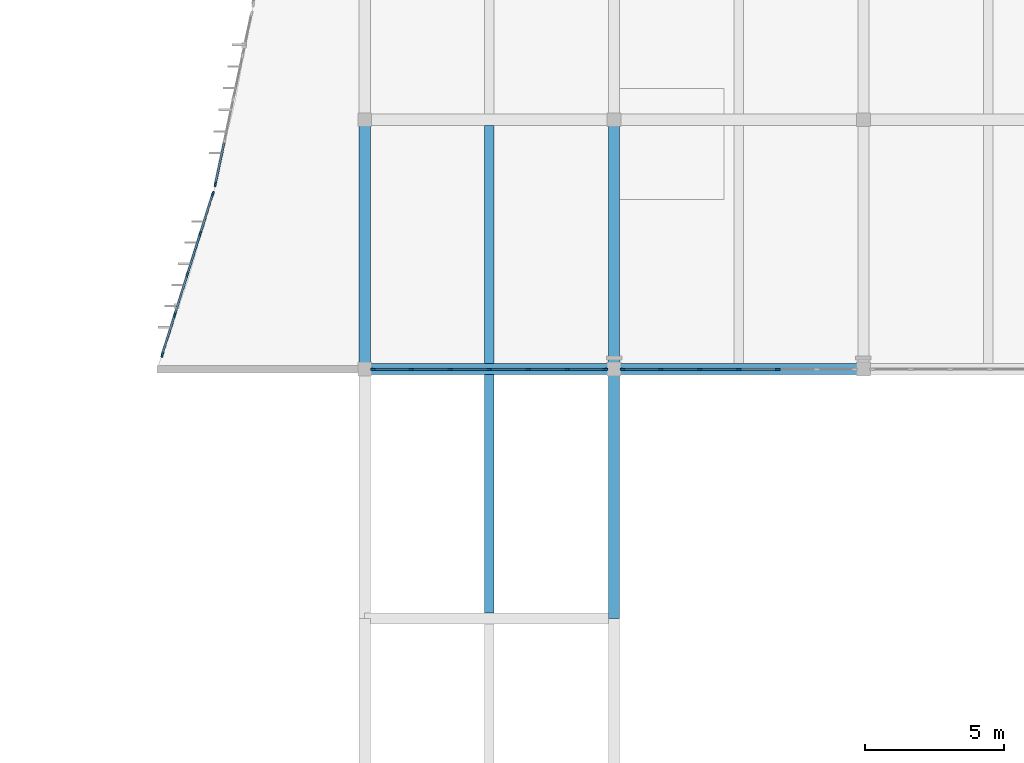
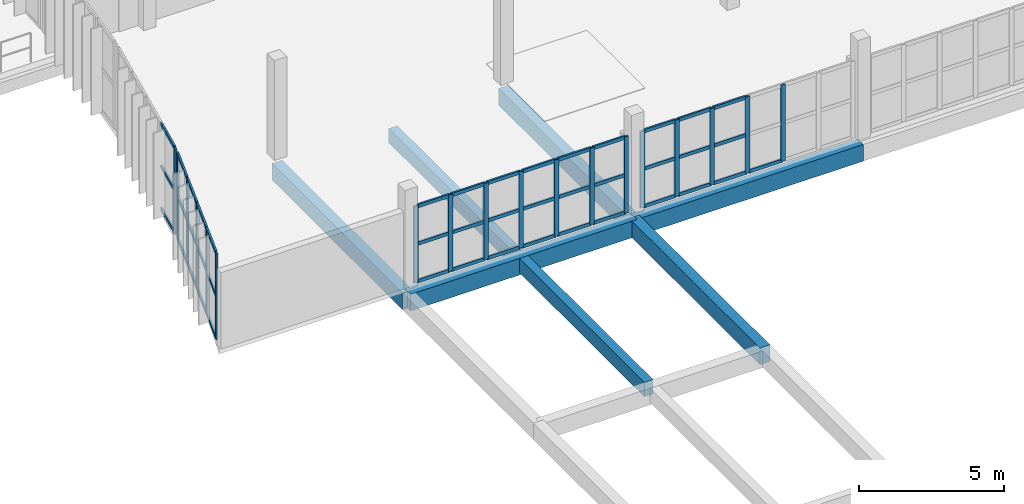
# One storey, part 21 of 61: 61 members, 7 beams, 4 elements without a shape of their own.
"""IFC4 building model written with IfcOpenShell, lengths in metres."""

from ifc_helpers import new_model, si_unit, direction, frame, origin, origin_2d, place, context, subcontext, project, spatial, rectangle, extrude, material, material_profile, profile_set, type_object, element, aggregate, save


model = new_model("IFC4")

# Units and contexts
model_context = context("Model", 3, precision=1e-05, world=origin(), true_north=direction((0.0, 1.0)))
body_context = subcontext(model_context, "Body", "Model", "MODEL_VIEW")
ifc_project = project(units=[si_unit("LENGTHUNIT", "METRE"), si_unit("AREAUNIT", "SQUARE_METRE"), si_unit("VOLUMEUNIT", "CUBIC_METRE"), si_unit("PLANEANGLEUNIT", "RADIAN"), si_unit("MASSUNIT", "GRAM", prefix="KILO")], contexts=[model_context])

# Site, building, storey
site_placement = place(None, origin())
site = spatial("IfcSite", under=ifc_project, at=site_placement, CompositionType="ELEMENT")
building_placement = place(site_placement, origin())
building = spatial("IfcBuilding", under=site, at=building_placement, Name="Vourika Railside Aquatics Centre", CompositionType="ELEMENT")
storey_placement = place(building_placement, frame((0.0, 0.0, 9.300048828125)))
storey = spatial("IfcBuildingStorey", under=building, at=storey_placement, Name="L02", CompositionType="ELEMENT", Elevation=9.300048828125)

# Beams
ifc_material_1 = material(Name="Concrete C35/45", Category="concrete")
ifc_material_profile_1 = material_profile(ifc_material_1, rectangle(XDim=0.39990234375, YDim=0.699951171875, at=origin_2d()), Name="RC 400x700")
ifc_profile_set_1 = profile_set([ifc_material_profile_1], Name="Concrete C35/45")
beam_type_1 = type_object("IfcBeamType", Name="BM-GIRD-400x700", PredefinedType="BEAM", material=ifc_profile_set_1)
for number, where, z_axis, x_axis, name in (
    (1, (141.0, 40.0, -0.630126953125), (1.0, 0.0, 0.0), (0.0, 1.0, 0.0), "Floor Beam GX-L02-038"),
    (2, (150.0, 40.0, -0.630126953125), (1.0, 0.0, 0.0), (0.0, 1.0, 0.0), "Floor Beam GX-L02-039"),
    (3, (141.0, 40.0, -0.630126953125), (0.0, 1.0, 0.0), (-1.0, 0.0, 0.0), "Floor Girder GY-L02-259"),
    (4, (150.0, 31.0, -0.630126953125), (0.0, 1.0, 0.0), (-1.0, 0.0, 0.0), "Floor Girder GY-L02-269"),
    (5, (150.0, 40.0, -0.630126953125), (0.0, 1.0, 0.0), (-1.0, 0.0, 0.0), "Floor Girder GY-L02-270"),
):
    element("IfcBeam", number, at=place(storey_placement, frame(where, z_axis=z_axis, x_axis=x_axis)), inside=storey, type_object=beam_type_1, Name=name, PredefinedType="BEAM", context=body_context, shape_type="SweptSolid", body=[
        extrude(rectangle(XDim=0.39990234375, YDim=0.699951171875, at=origin_2d()), origin(), (0.0, 0.0, 1.0), 9.0),
    ])
ifc_material_profile_2 = material_profile(ifc_material_1, rectangle(XDim=0.35009765625, YDim=0.60009765625, at=origin_2d()), Name="RC 350x600")
ifc_profile_set_2 = profile_set([ifc_material_profile_2], Name="Concrete C35/45")
beam_type_2 = type_object("IfcBeamType", Name="BM-SEC-350x600", PredefinedType="JOIST", material=ifc_profile_set_2)
for number, where, z_axis, x_axis, name in (
    (6, (145.5, 31.199951171875, -0.580078125), (0.0, 1.0, 0.0), (-1.0, 0.0, 0.0), "Secondary Joist JY-L02-305"),
    (7, (145.5, 40.199951171875, -0.580078125), (0.0, 1.0, 0.0), (-1.0, 0.0, 0.0), "Secondary Joist JY-L02-306"),
):
    element("IfcBeam", number, at=place(storey_placement, frame(where, z_axis=z_axis, x_axis=x_axis)), inside=storey, type_object=beam_type_2, Name=name, PredefinedType="JOIST", context=body_context, shape_type="SweptSolid", body=[
        extrude(rectangle(XDim=0.35009765625, YDim=0.60009765625, at=origin_2d()), origin(), (0.0, 0.0, 1.0), 8.60009765625),
    ])

# Curtain wall, members
ifc_material_2 = material(Name="Anodized thermally broken aluminium", Category="aluminium")
curtain_wall_type_1 = type_object("IfcCurtainWallType", Name="CW-FOYC2", PredefinedType="NOTDEFINED", material=ifc_material_2)
curtain_wall_1_placement = place(storey_placement, origin())
curtain_wall_1 = element("IfcCurtainWall", 8, at=curtain_wall_1_placement, inside=storey, type_object=curtain_wall_type_1, Name="Curved Courtyard Foyer Curtain Wall L02-1", PredefinedType="NOTDEFINED")
ifc_material_3 = material(Name="Anodized aluminium mullion", Category="aluminium")
ifc_material_profile_3 = material_profile(ifc_material_3, rectangle(XDim=0.068115234375, YDim=0.175048828125, at=origin_2d()), Name="ALU-M 68x175")
ifc_profile_set_3 = profile_set([ifc_material_profile_3], Name="Anodized aluminium mullion")
member_type_1 = type_object("IfcMemberType", Name="CWM-FOYC2", PredefinedType="MULLION", material=ifc_profile_set_3)
member_1_placement = place(storey_placement, frame((135.518798828125, 46.32763671875, 0.0), z_axis=(0.0, 0.0, 1.0), x_axis=(0.953947300696, -0.29997424472, 0.0)))
member_1 = element("IfcMember", 9, at=member_1_placement, type_object=member_type_1, Name="CW09 mullion 1", PredefinedType="MULLION", context=body_context, shape_type="SweptSolid", body=[
    extrude(rectangle(XDim=0.068115234375, YDim=0.175048828125, at=origin_2d()), origin(), (0.0, 0.0, 1.0), 3.619873046875),
])
member_2_placement = place(storey_placement, frame((135.066650390625, 44.889892578125, 0.0), z_axis=(0.0, 0.0, 1.0), x_axis=(0.953947300696, -0.29997424472, 0.0)))
member_2 = element("IfcMember", 10, at=member_2_placement, type_object=member_type_1, Name="CW09 mullion 2", PredefinedType="MULLION", context=body_context, shape_type="SweptSolid", body=[
    extrude(rectangle(XDim=0.068115234375, YDim=0.175048828125, at=origin_2d()), origin(), (0.0, 0.0, 1.0), 3.619873046875),
])
member_3_placement = place(storey_placement, frame((134.6044921875, 43.419921875, 0.0), z_axis=(0.0, 0.0, 1.0), x_axis=(0.953947300696, -0.29997424472, 0.0)))
member_3 = element("IfcMember", 11, at=member_3_placement, type_object=member_type_1, Name="CW09 mullion 3", PredefinedType="MULLION", context=body_context, shape_type="SweptSolid", body=[
    extrude(rectangle(XDim=0.068115234375, YDim=0.175048828125, at=origin_2d()), origin(), (0.0, 0.0, 1.0), 3.619873046875),
])
member_4_placement = place(storey_placement, frame((134.142333984375, 41.949951171875, 0.0), z_axis=(0.0, 0.0, 1.0), x_axis=(0.953947300696, -0.29997424472, 0.0)))
member_4 = element("IfcMember", 12, at=member_4_placement, type_object=member_type_1, Name="CW09 mullion 4", PredefinedType="MULLION", context=body_context, shape_type="SweptSolid", body=[
    extrude(rectangle(XDim=0.068115234375, YDim=0.175048828125, at=origin_2d()), origin(), (0.0, 0.0, 1.0), 3.619873046875),
])
member_5_placement = place(storey_placement, frame((133.690185546875, 40.512451171875, 0.0), z_axis=(0.0, 0.0, 1.0), x_axis=(0.953947300696, -0.29997424472, 0.0)))
member_5 = element("IfcMember", 13, at=member_5_placement, type_object=member_type_1, Name="CW09 mullion 5", PredefinedType="MULLION", context=body_context, shape_type="SweptSolid", body=[
    extrude(rectangle(XDim=0.068115234375, YDim=0.175048828125, at=origin_2d()), origin(), (0.0, 0.0, 1.0), 3.619873046875),
])

# Curtain wall, member
curtain_wall_2_placement = place(storey_placement, origin())
curtain_wall_2 = element("IfcCurtainWall", 14, at=curtain_wall_2_placement, inside=storey, type_object=curtain_wall_type_1, Name="Curved Courtyard Foyer Curtain Wall L02-2", PredefinedType="NOTDEFINED")
member_6_placement = place(storey_placement, frame((135.609130859375, 46.67333984375, 0.0), z_axis=(0.0, 0.0, 1.0), x_axis=(0.978214773139, -0.207595418094, 0.0)))
member_6 = element("IfcMember", 15, at=member_6_placement, type_object=member_type_1, Name="CW09 mullion 5", PredefinedType="MULLION", context=body_context, shape_type="SweptSolid", body=[
    extrude(rectangle(XDim=0.068115234375, YDim=0.175048828125, at=origin_2d()), origin(), (0.0, 0.0, 1.0), 3.619873046875),
])

# Curtain wall, members
curtain_wall_type_2 = type_object("IfcCurtainWallType", Name="CW-FOYS", PredefinedType="NOTDEFINED", material=ifc_material_2)
curtain_wall_3_placement = place(storey_placement, origin())
curtain_wall_3 = element("IfcCurtainWall", 16, at=curtain_wall_3_placement, inside=storey, type_object=curtain_wall_type_2, Name="Foyer South Glazed Facade L02-1", PredefinedType="NOTDEFINED")
ifc_material_profile_4 = material_profile(ifc_material_3, rectangle(XDim=0.072021484375, YDim=0.181884765625, at=origin_2d()), Name="ALU-M 72x182")
ifc_profile_set_4 = profile_set([ifc_material_profile_4], Name="Anodized aluminium mullion")
member_type_2 = type_object("IfcMemberType", Name="CWM-FOYS", PredefinedType="MULLION", material=ifc_profile_set_4)
member_7_placement = place(storey_placement, frame((141.31591796875, 40.0, 0.0), z_axis=(0.0, 0.0, 1.0), x_axis=(0.0, 1.0, 0.0)))
member_7 = element("IfcMember", 17, at=member_7_placement, type_object=member_type_2, Name="CW11 mullion 1", PredefinedType="MULLION", context=body_context, shape_type="SweptSolid", body=[
    extrude(rectangle(XDim=0.072021484375, YDim=0.181884765625, at=origin_2d()), origin(), (0.0, 0.0, 1.0), 3.219970703125),
])
member_8_placement = place(storey_placement, frame((142.686767578125, 40.0, 0.0), z_axis=(0.0, 0.0, 1.0), x_axis=(0.0, 1.0, 0.0)))
member_8 = element("IfcMember", 18, at=member_8_placement, type_object=member_type_2, Name="CW11 mullion 2", PredefinedType="MULLION", context=body_context, shape_type="SweptSolid", body=[
    extrude(rectangle(XDim=0.072021484375, YDim=0.181884765625, at=origin_2d()), origin(), (0.0, 0.0, 1.0), 3.219970703125),
])
member_9_placement = place(storey_placement, frame((144.09326171875, 40.0, 0.0), z_axis=(0.0, 0.0, 1.0), x_axis=(0.0, 1.0, 0.0)))
member_9 = element("IfcMember", 19, at=member_9_placement, type_object=member_type_2, Name="CW11 mullion 3", PredefinedType="MULLION", context=body_context, shape_type="SweptSolid", body=[
    extrude(rectangle(XDim=0.072021484375, YDim=0.181884765625, at=origin_2d()), origin(), (0.0, 0.0, 1.0), 3.219970703125),
])
member_10_placement = place(storey_placement, frame((145.5, 40.0, 0.0), z_axis=(0.0, 0.0, 1.0), x_axis=(0.0, 1.0, 0.0)))
member_10 = element("IfcMember", 20, at=member_10_placement, type_object=member_type_2, Name="CW11 mullion 4", PredefinedType="MULLION", context=body_context, shape_type="SweptSolid", body=[
    extrude(rectangle(XDim=0.072021484375, YDim=0.181884765625, at=origin_2d()), origin(), (0.0, 0.0, 1.0), 3.219970703125),
])
member_11_placement = place(storey_placement, frame((146.90673828125, 40.0, 0.0), z_axis=(0.0, 0.0, 1.0), x_axis=(0.0, 1.0, 0.0)))
member_11 = element("IfcMember", 21, at=member_11_placement, type_object=member_type_2, Name="CW11 mullion 5", PredefinedType="MULLION", context=body_context, shape_type="SweptSolid", body=[
    extrude(rectangle(XDim=0.072021484375, YDim=0.181884765625, at=origin_2d()), origin(), (0.0, 0.0, 1.0), 3.219970703125),
])
member_12_placement = place(storey_placement, frame((148.313232421875, 40.0, 0.0), z_axis=(0.0, 0.0, 1.0), x_axis=(0.0, 1.0, 0.0)))
member_12 = element("IfcMember", 22, at=member_12_placement, type_object=member_type_2, Name="CW11 mullion 6", PredefinedType="MULLION", context=body_context, shape_type="SweptSolid", body=[
    extrude(rectangle(XDim=0.072021484375, YDim=0.181884765625, at=origin_2d()), origin(), (0.0, 0.0, 1.0), 3.219970703125),
])
member_13_placement = place(storey_placement, frame((149.68408203125, 40.0, 0.0), z_axis=(0.0, 0.0, 1.0), x_axis=(0.0, 1.0, 0.0)))
member_13 = element("IfcMember", 23, at=member_13_placement, type_object=member_type_2, Name="CW11 mullion 7", PredefinedType="MULLION", context=body_context, shape_type="SweptSolid", body=[
    extrude(rectangle(XDim=0.072021484375, YDim=0.181884765625, at=origin_2d()), origin(), (0.0, 0.0, 1.0), 3.219970703125),
])

curtain_wall_4_placement = place(storey_placement, origin())
curtain_wall_4 = element("IfcCurtainWall", 24, at=curtain_wall_4_placement, inside=storey, type_object=curtain_wall_type_2, Name="Foyer South Glazed Facade L02-2", PredefinedType="NOTDEFINED")
member_14_placement = place(storey_placement, frame((150.31591796875, 40.0, 0.0), z_axis=(0.0, 0.0, 1.0), x_axis=(0.0, 1.0, 0.0)))
member_14 = element("IfcMember", 25, at=member_14_placement, type_object=member_type_2, Name="CW11 mullion 1", PredefinedType="MULLION", context=body_context, shape_type="SweptSolid", body=[
    extrude(rectangle(XDim=0.072021484375, YDim=0.181884765625, at=origin_2d()), origin(), (0.0, 0.0, 1.0), 3.219970703125),
])
member_15_placement = place(storey_placement, frame((151.686767578125, 40.0, 0.0), z_axis=(0.0, 0.0, 1.0), x_axis=(0.0, 1.0, 0.0)))
member_15 = element("IfcMember", 26, at=member_15_placement, type_object=member_type_2, Name="CW11 mullion 2", PredefinedType="MULLION", context=body_context, shape_type="SweptSolid", body=[
    extrude(rectangle(XDim=0.072021484375, YDim=0.181884765625, at=origin_2d()), origin(), (0.0, 0.0, 1.0), 3.219970703125),
])
member_16_placement = place(storey_placement, frame((153.09326171875, 40.0, 0.0), z_axis=(0.0, 0.0, 1.0), x_axis=(0.0, 1.0, 0.0)))
member_16 = element("IfcMember", 27, at=member_16_placement, type_object=member_type_2, Name="CW11 mullion 3", PredefinedType="MULLION", context=body_context, shape_type="SweptSolid", body=[
    extrude(rectangle(XDim=0.072021484375, YDim=0.181884765625, at=origin_2d()), origin(), (0.0, 0.0, 1.0), 3.219970703125),
])
member_17_placement = place(storey_placement, frame((154.5, 40.0, 0.0), z_axis=(0.0, 0.0, 1.0), x_axis=(0.0, 1.0, 0.0)))
member_17 = element("IfcMember", 28, at=member_17_placement, type_object=member_type_2, Name="CW11 mullion 4", PredefinedType="MULLION", context=body_context, shape_type="SweptSolid", body=[
    extrude(rectangle(XDim=0.072021484375, YDim=0.181884765625, at=origin_2d()), origin(), (0.0, 0.0, 1.0), 3.219970703125),
])
member_18_placement = place(storey_placement, frame((155.90673828125, 40.0, 0.0), z_axis=(0.0, 0.0, 1.0), x_axis=(0.0, 1.0, 0.0)))
member_18 = element("IfcMember", 29, at=member_18_placement, type_object=member_type_2, Name="CW11 mullion 5", PredefinedType="MULLION", context=body_context, shape_type="SweptSolid", body=[
    extrude(rectangle(XDim=0.072021484375, YDim=0.181884765625, at=origin_2d()), origin(), (0.0, 0.0, 1.0), 3.219970703125),
])

# Member
ifc_material_4 = material(Name="Anodized aluminium transom", Category="aluminium")
ifc_material_profile_5 = material_profile(ifc_material_4, rectangle(XDim=0.068115234375, YDim=0.137939453125, at=origin_2d()), Name="ALU-T 68x138")
ifc_profile_set_5 = profile_set([ifc_material_profile_5], Name="Anodized aluminium transom")
member_type_3 = type_object("IfcMemberType", Name="CWT-FOYC2", PredefinedType="USERDEFINED", material=ifc_profile_set_5)
member_19_placement = place(storey_placement, frame((135.508544921875, 46.295166015625, 0.033935546875), z_axis=(-0.299945704104, -0.953956274988, 0.0), x_axis=(0.953956274988, -0.299945704104, 0.0)))
member_19 = element("IfcMember", 30, at=member_19_placement, type_object=member_type_3, Name="CW09 transom 1.1", ObjectType="TRANSOM", PredefinedType="USERDEFINED", context=body_context, shape_type="SweptSolid", body=[
    extrude(rectangle(XDim=0.068115234375, YDim=0.137939453125, at=origin_2d()), origin(), (0.0, 0.0, 1.0), 1.43896484375),
])

member_20_placement = place(storey_placement, frame((135.508544921875, 46.295166015625, 1.81005859375), z_axis=(-0.299945704104, -0.953956274988, 0.0), x_axis=(0.953956274988, -0.299945704104, 0.0)))
member_20 = element("IfcMember", 31, at=member_20_placement, type_object=member_type_3, Name="CW09 transom 1.2", ObjectType="TRANSOM", PredefinedType="USERDEFINED", context=body_context, shape_type="SweptSolid", body=[
    extrude(rectangle(XDim=0.068115234375, YDim=0.137939453125, at=origin_2d()), origin(), (0.0, 0.0, 1.0), 1.43896484375),
])

member_21_placement = place(storey_placement, frame((135.508544921875, 46.295166015625, 3.5859375), z_axis=(-0.299945704104, -0.953956274988, 0.0), x_axis=(0.953956274988, -0.299945704104, 0.0)))
member_21 = element("IfcMember", 32, at=member_21_placement, type_object=member_type_3, Name="CW09 transom 1.3", ObjectType="TRANSOM", PredefinedType="USERDEFINED", context=body_context, shape_type="SweptSolid", body=[
    extrude(rectangle(XDim=0.068115234375, YDim=0.137939453125, at=origin_2d()), origin(), (0.0, 0.0, 1.0), 1.43896484375),
])

member_22_placement = place(storey_placement, frame((135.056640625, 44.857666015625, 0.033935546875), z_axis=(-0.299973116156, -0.953947655578, 0.0), x_axis=(0.953947655578, -0.299973116156, 0.0)))
member_22 = element("IfcMember", 33, at=member_22_placement, type_object=member_type_3, Name="CW09 transom 2.1", ObjectType="TRANSOM", PredefinedType="USERDEFINED", context=body_context, shape_type="SweptSolid", body=[
    extrude(rectangle(XDim=0.068115234375, YDim=0.137939453125, at=origin_2d()), origin(), (0.0, 0.0, 1.0), 1.47314453125),
])

member_23_placement = place(storey_placement, frame((135.056640625, 44.857666015625, 1.81005859375), z_axis=(-0.299973116156, -0.953947655578, 0.0), x_axis=(0.953947655578, -0.299973116156, 0.0)))
member_23 = element("IfcMember", 34, at=member_23_placement, type_object=member_type_3, Name="CW09 transom 2.2", ObjectType="TRANSOM", PredefinedType="USERDEFINED", context=body_context, shape_type="SweptSolid", body=[
    extrude(rectangle(XDim=0.068115234375, YDim=0.137939453125, at=origin_2d()), origin(), (0.0, 0.0, 1.0), 1.47314453125),
])

member_24_placement = place(storey_placement, frame((135.056640625, 44.857666015625, 3.5859375), z_axis=(-0.299973116156, -0.953947655578, 0.0), x_axis=(0.953947655578, -0.299973116156, 0.0)))
member_24 = element("IfcMember", 35, at=member_24_placement, type_object=member_type_3, Name="CW09 transom 2.3", ObjectType="TRANSOM", PredefinedType="USERDEFINED", context=body_context, shape_type="SweptSolid", body=[
    extrude(rectangle(XDim=0.068115234375, YDim=0.137939453125, at=origin_2d()), origin(), (0.0, 0.0, 1.0), 1.47314453125),
])

member_25_placement = place(storey_placement, frame((134.59423828125, 43.387451171875, 0.033935546875), z_axis=(-0.300020548645, -0.953932738924, 0.0), x_axis=(0.953932738924, -0.300020548645, 0.0)))
member_25 = element("IfcMember", 36, at=member_25_placement, type_object=member_type_3, Name="CW09 transom 3.1", ObjectType="TRANSOM", PredefinedType="USERDEFINED", context=body_context, shape_type="SweptSolid", body=[
    extrude(rectangle(XDim=0.068115234375, YDim=0.137939453125, at=origin_2d()), origin(), (0.0, 0.0, 1.0), 1.472900390625),
])

member_26_placement = place(storey_placement, frame((134.59423828125, 43.387451171875, 1.81005859375), z_axis=(-0.300020548645, -0.953932738924, 0.0), x_axis=(0.953932738924, -0.300020548645, 0.0)))
member_26 = element("IfcMember", 37, at=member_26_placement, type_object=member_type_3, Name="CW09 transom 3.2", ObjectType="TRANSOM", PredefinedType="USERDEFINED", context=body_context, shape_type="SweptSolid", body=[
    extrude(rectangle(XDim=0.068115234375, YDim=0.137939453125, at=origin_2d()), origin(), (0.0, 0.0, 1.0), 1.472900390625),
])

member_27_placement = place(storey_placement, frame((134.59423828125, 43.387451171875, 3.5859375), z_axis=(-0.300020548645, -0.953932738924, 0.0), x_axis=(0.953932738924, -0.300020548645, 0.0)))
member_27 = element("IfcMember", 38, at=member_27_placement, type_object=member_type_3, Name="CW09 transom 3.3", ObjectType="TRANSOM", PredefinedType="USERDEFINED", context=body_context, shape_type="SweptSolid", body=[
    extrude(rectangle(XDim=0.068115234375, YDim=0.137939453125, at=origin_2d()), origin(), (0.0, 0.0, 1.0), 1.472900390625),
])

member_28_placement = place(storey_placement, frame((134.132080078125, 41.91748046875, 0.033935546875), z_axis=(-0.29999425512, -0.953941008079, 0.0), x_axis=(0.953941008079, -0.29999425512, 0.0)))
member_28 = element("IfcMember", 39, at=member_28_placement, type_object=member_type_3, Name="CW09 transom 4.1", ObjectType="TRANSOM", PredefinedType="USERDEFINED", context=body_context, shape_type="SweptSolid", body=[
    extrude(rectangle(XDim=0.068115234375, YDim=0.137939453125, at=origin_2d()), origin(), (0.0, 0.0, 1.0), 1.438720703125),
])

member_29_placement = place(storey_placement, frame((134.132080078125, 41.91748046875, 1.81005859375), z_axis=(-0.29999425512, -0.953941008079, 0.0), x_axis=(0.953941008079, -0.29999425512, 0.0)))
member_29 = element("IfcMember", 40, at=member_29_placement, type_object=member_type_3, Name="CW09 transom 4.2", ObjectType="TRANSOM", PredefinedType="USERDEFINED", context=body_context, shape_type="SweptSolid", body=[
    extrude(rectangle(XDim=0.068115234375, YDim=0.137939453125, at=origin_2d()), origin(), (0.0, 0.0, 1.0), 1.438720703125),
])

member_30_placement = place(storey_placement, frame((134.132080078125, 41.91748046875, 3.5859375), z_axis=(-0.29999425512, -0.953941008079, 0.0), x_axis=(0.953941008079, -0.29999425512, 0.0)))
member_30 = element("IfcMember", 41, at=member_30_placement, type_object=member_type_3, Name="CW09 transom 4.3", ObjectType="TRANSOM", PredefinedType="USERDEFINED", context=body_context, shape_type="SweptSolid", body=[
    extrude(rectangle(XDim=0.068115234375, YDim=0.137939453125, at=origin_2d()), origin(), (0.0, 0.0, 1.0), 1.438720703125),
])

aggregate(curtain_wall_1, [member_1, member_2, member_3, member_4, member_5, member_19, member_20, member_21, member_22, member_23, member_24, member_25, member_26, member_27, member_28, member_29, member_30])

member_31_placement = place(storey_placement, frame((135.925048828125, 48.16162109375, 0.033935546875), z_axis=(-0.207623193138, -0.978208878344, 0.0), x_axis=(0.978208878344, -0.207623193138, 0.0)))
member_31 = element("IfcMember", 42, at=member_31_placement, type_object=member_type_3, Name="CW09 transom 4.1", ObjectType="TRANSOM", PredefinedType="USERDEFINED", context=body_context, shape_type="SweptSolid", body=[
    extrude(rectangle(XDim=0.068115234375, YDim=0.137939453125, at=origin_2d()), origin(), (0.0, 0.0, 1.0), 1.487548828125),
])

member_32_placement = place(storey_placement, frame((135.925048828125, 48.16162109375, 1.81005859375), z_axis=(-0.207623193138, -0.978208878344, 0.0), x_axis=(0.978208878344, -0.207623193138, 0.0)))
member_32 = element("IfcMember", 43, at=member_32_placement, type_object=member_type_3, Name="CW09 transom 4.2", ObjectType="TRANSOM", PredefinedType="USERDEFINED", context=body_context, shape_type="SweptSolid", body=[
    extrude(rectangle(XDim=0.068115234375, YDim=0.137939453125, at=origin_2d()), origin(), (0.0, 0.0, 1.0), 1.487548828125),
])

member_33_placement = place(storey_placement, frame((135.925048828125, 48.16162109375, 3.5859375), z_axis=(-0.207623193138, -0.978208878344, 0.0), x_axis=(0.978208878344, -0.207623193138, 0.0)))
member_33 = element("IfcMember", 44, at=member_33_placement, type_object=member_type_3, Name="CW09 transom 4.3", ObjectType="TRANSOM", PredefinedType="USERDEFINED", context=body_context, shape_type="SweptSolid", body=[
    extrude(rectangle(XDim=0.068115234375, YDim=0.137939453125, at=origin_2d()), origin(), (0.0, 0.0, 1.0), 1.487548828125),
])

aggregate(curtain_wall_2, [member_6, member_31, member_32, member_33])

ifc_material_profile_6 = material_profile(ifc_material_4, rectangle(XDim=0.072021484375, YDim=0.14404296875, at=origin_2d()), Name="ALU-T 72x144")
ifc_profile_set_6 = profile_set([ifc_material_profile_6], Name="Anodized aluminium transom")
member_type_4 = type_object("IfcMemberType", Name="CWT-FOYS", PredefinedType="USERDEFINED", material=ifc_profile_set_6)
member_34_placement = place(storey_placement, frame((141.35205078125, 40.0, 0.035888671875), z_axis=(1.0, 0.0, 0.0), x_axis=(0.0, 1.0, 0.0)))
member_34 = element("IfcMember", 45, at=member_34_placement, type_object=member_type_4, Name="CW11 transom 1.1", ObjectType="TRANSOM", PredefinedType="USERDEFINED", context=body_context, shape_type="SweptSolid", body=[
    extrude(rectangle(XDim=0.072021484375, YDim=0.14404296875, at=origin_2d()), origin(), (0.0, 0.0, 1.0), 1.298583984375),
])

member_35_placement = place(storey_placement, frame((141.35205078125, 40.0, 1.60986328125), z_axis=(1.0, 0.0, 0.0), x_axis=(0.0, 1.0, 0.0)))
member_35 = element("IfcMember", 46, at=member_35_placement, type_object=member_type_4, Name="CW11 transom 1.2", ObjectType="TRANSOM", PredefinedType="USERDEFINED", context=body_context, shape_type="SweptSolid", body=[
    extrude(rectangle(XDim=0.072021484375, YDim=0.14404296875, at=origin_2d()), origin(), (0.0, 0.0, 1.0), 1.298583984375),
])

member_36_placement = place(storey_placement, frame((141.35205078125, 40.0, 3.183837890625), z_axis=(1.0, 0.0, 0.0), x_axis=(0.0, 1.0, 0.0)))
member_36 = element("IfcMember", 47, at=member_36_placement, type_object=member_type_4, Name="CW11 transom 1.3", ObjectType="TRANSOM", PredefinedType="USERDEFINED", context=body_context, shape_type="SweptSolid", body=[
    extrude(rectangle(XDim=0.072021484375, YDim=0.14404296875, at=origin_2d()), origin(), (0.0, 0.0, 1.0), 1.298583984375),
])

member_37_placement = place(storey_placement, frame((142.72265625, 40.0, 0.035888671875), z_axis=(1.0, 0.0, 0.0), x_axis=(0.0, 1.0, 0.0)))
member_37 = element("IfcMember", 48, at=member_37_placement, type_object=member_type_4, Name="CW11 transom 2.1", ObjectType="TRANSOM", PredefinedType="USERDEFINED", context=body_context, shape_type="SweptSolid", body=[
    extrude(rectangle(XDim=0.072021484375, YDim=0.14404296875, at=origin_2d()), origin(), (0.0, 0.0, 1.0), 1.334716796875),
])

member_38_placement = place(storey_placement, frame((142.72265625, 40.0, 1.60986328125), z_axis=(1.0, 0.0, 0.0), x_axis=(0.0, 1.0, 0.0)))
member_38 = element("IfcMember", 49, at=member_38_placement, type_object=member_type_4, Name="CW11 transom 2.2", ObjectType="TRANSOM", PredefinedType="USERDEFINED", context=body_context, shape_type="SweptSolid", body=[
    extrude(rectangle(XDim=0.072021484375, YDim=0.14404296875, at=origin_2d()), origin(), (0.0, 0.0, 1.0), 1.334716796875),
])

member_39_placement = place(storey_placement, frame((142.72265625, 40.0, 3.183837890625), z_axis=(1.0, 0.0, 0.0), x_axis=(0.0, 1.0, 0.0)))
member_39 = element("IfcMember", 50, at=member_39_placement, type_object=member_type_4, Name="CW11 transom 2.3", ObjectType="TRANSOM", PredefinedType="USERDEFINED", context=body_context, shape_type="SweptSolid", body=[
    extrude(rectangle(XDim=0.072021484375, YDim=0.14404296875, at=origin_2d()), origin(), (0.0, 0.0, 1.0), 1.334716796875),
])

member_40_placement = place(storey_placement, frame((144.12939453125, 40.0, 0.035888671875), z_axis=(1.0, 0.0, 0.0), x_axis=(0.0, 1.0, 0.0)))
member_40 = element("IfcMember", 51, at=member_40_placement, type_object=member_type_4, Name="CW11 transom 3.1", ObjectType="TRANSOM", PredefinedType="USERDEFINED", context=body_context, shape_type="SweptSolid", body=[
    extrude(rectangle(XDim=0.072021484375, YDim=0.14404296875, at=origin_2d()), origin(), (0.0, 0.0, 1.0), 1.334716796875),
])

member_41_placement = place(storey_placement, frame((144.12939453125, 40.0, 1.60986328125), z_axis=(1.0, 0.0, 0.0), x_axis=(0.0, 1.0, 0.0)))
member_41 = element("IfcMember", 52, at=member_41_placement, type_object=member_type_4, Name="CW11 transom 3.2", ObjectType="TRANSOM", PredefinedType="USERDEFINED", context=body_context, shape_type="SweptSolid", body=[
    extrude(rectangle(XDim=0.072021484375, YDim=0.14404296875, at=origin_2d()), origin(), (0.0, 0.0, 1.0), 1.334716796875),
])

member_42_placement = place(storey_placement, frame((144.12939453125, 40.0, 3.183837890625), z_axis=(1.0, 0.0, 0.0), x_axis=(0.0, 1.0, 0.0)))
member_42 = element("IfcMember", 53, at=member_42_placement, type_object=member_type_4, Name="CW11 transom 3.3", ObjectType="TRANSOM", PredefinedType="USERDEFINED", context=body_context, shape_type="SweptSolid", body=[
    extrude(rectangle(XDim=0.072021484375, YDim=0.14404296875, at=origin_2d()), origin(), (0.0, 0.0, 1.0), 1.334716796875),
])

member_43_placement = place(storey_placement, frame((145.535888671875, 40.0, 0.035888671875), z_axis=(1.0, 0.0, 0.0), x_axis=(0.0, 1.0, 0.0)))
member_43 = element("IfcMember", 54, at=member_43_placement, type_object=member_type_4, Name="CW11 transom 4.1", ObjectType="TRANSOM", PredefinedType="USERDEFINED", context=body_context, shape_type="SweptSolid", body=[
    extrude(rectangle(XDim=0.072021484375, YDim=0.14404296875, at=origin_2d()), origin(), (0.0, 0.0, 1.0), 1.334716796875),
])

member_44_placement = place(storey_placement, frame((145.535888671875, 40.0, 1.60986328125), z_axis=(1.0, 0.0, 0.0), x_axis=(0.0, 1.0, 0.0)))
member_44 = element("IfcMember", 55, at=member_44_placement, type_object=member_type_4, Name="CW11 transom 4.2", ObjectType="TRANSOM", PredefinedType="USERDEFINED", context=body_context, shape_type="SweptSolid", body=[
    extrude(rectangle(XDim=0.072021484375, YDim=0.14404296875, at=origin_2d()), origin(), (0.0, 0.0, 1.0), 1.334716796875),
])

member_45_placement = place(storey_placement, frame((145.535888671875, 40.0, 3.183837890625), z_axis=(1.0, 0.0, 0.0), x_axis=(0.0, 1.0, 0.0)))
member_45 = element("IfcMember", 56, at=member_45_placement, type_object=member_type_4, Name="CW11 transom 4.3", ObjectType="TRANSOM", PredefinedType="USERDEFINED", context=body_context, shape_type="SweptSolid", body=[
    extrude(rectangle(XDim=0.072021484375, YDim=0.14404296875, at=origin_2d()), origin(), (0.0, 0.0, 1.0), 1.334716796875),
])

member_46_placement = place(storey_placement, frame((146.942626953125, 40.0, 0.035888671875), z_axis=(1.0, 0.0, 0.0), x_axis=(0.0, 1.0, 0.0)))
member_46 = element("IfcMember", 57, at=member_46_placement, type_object=member_type_4, Name="CW11 transom 5.1", ObjectType="TRANSOM", PredefinedType="USERDEFINED", context=body_context, shape_type="SweptSolid", body=[
    extrude(rectangle(XDim=0.072021484375, YDim=0.14404296875, at=origin_2d()), origin(), (0.0, 0.0, 1.0), 1.334716796875),
])

member_47_placement = place(storey_placement, frame((146.942626953125, 40.0, 1.60986328125), z_axis=(1.0, 0.0, 0.0), x_axis=(0.0, 1.0, 0.0)))
member_47 = element("IfcMember", 58, at=member_47_placement, type_object=member_type_4, Name="CW11 transom 5.2", ObjectType="TRANSOM", PredefinedType="USERDEFINED", context=body_context, shape_type="SweptSolid", body=[
    extrude(rectangle(XDim=0.072021484375, YDim=0.14404296875, at=origin_2d()), origin(), (0.0, 0.0, 1.0), 1.334716796875),
])

member_48_placement = place(storey_placement, frame((146.942626953125, 40.0, 3.183837890625), z_axis=(1.0, 0.0, 0.0), x_axis=(0.0, 1.0, 0.0)))
member_48 = element("IfcMember", 59, at=member_48_placement, type_object=member_type_4, Name="CW11 transom 5.3", ObjectType="TRANSOM", PredefinedType="USERDEFINED", context=body_context, shape_type="SweptSolid", body=[
    extrude(rectangle(XDim=0.072021484375, YDim=0.14404296875, at=origin_2d()), origin(), (0.0, 0.0, 1.0), 1.334716796875),
])

member_49_placement = place(storey_placement, frame((148.349365234375, 40.0, 0.035888671875), z_axis=(1.0, 0.0, 0.0), x_axis=(0.0, 1.0, 0.0)))
member_49 = element("IfcMember", 60, at=member_49_placement, type_object=member_type_4, Name="CW11 transom 6.1", ObjectType="TRANSOM", PredefinedType="USERDEFINED", context=body_context, shape_type="SweptSolid", body=[
    extrude(rectangle(XDim=0.072021484375, YDim=0.14404296875, at=origin_2d()), origin(), (0.0, 0.0, 1.0), 1.298583984375),
])

member_50_placement = place(storey_placement, frame((148.349365234375, 40.0, 1.60986328125), z_axis=(1.0, 0.0, 0.0), x_axis=(0.0, 1.0, 0.0)))
member_50 = element("IfcMember", 61, at=member_50_placement, type_object=member_type_4, Name="CW11 transom 6.2", ObjectType="TRANSOM", PredefinedType="USERDEFINED", context=body_context, shape_type="SweptSolid", body=[
    extrude(rectangle(XDim=0.072021484375, YDim=0.14404296875, at=origin_2d()), origin(), (0.0, 0.0, 1.0), 1.298583984375),
])

member_51_placement = place(storey_placement, frame((148.349365234375, 40.0, 3.183837890625), z_axis=(1.0, 0.0, 0.0), x_axis=(0.0, 1.0, 0.0)))
member_51 = element("IfcMember", 62, at=member_51_placement, type_object=member_type_4, Name="CW11 transom 6.3", ObjectType="TRANSOM", PredefinedType="USERDEFINED", context=body_context, shape_type="SweptSolid", body=[
    extrude(rectangle(XDim=0.072021484375, YDim=0.14404296875, at=origin_2d()), origin(), (0.0, 0.0, 1.0), 1.298583984375),
])

aggregate(curtain_wall_3, [member_7, member_8, member_9, member_10, member_11, member_12, member_13, member_34, member_35, member_36, member_37, member_38, member_39, member_40, member_41, member_42, member_43, member_44, member_45, member_46, member_47, member_48, member_49, member_50, member_51])

member_52_placement = place(storey_placement, frame((150.35205078125, 40.0, 0.035888671875), z_axis=(1.0, 0.0, 0.0), x_axis=(0.0, 1.0, 0.0)))
member_52 = element("IfcMember", 63, at=member_52_placement, type_object=member_type_4, Name="CW11 transom 1.1", ObjectType="TRANSOM", PredefinedType="USERDEFINED", context=body_context, shape_type="SweptSolid", body=[
    extrude(rectangle(XDim=0.072021484375, YDim=0.14404296875, at=origin_2d()), origin(), (0.0, 0.0, 1.0), 1.298583984375),
])

member_53_placement = place(storey_placement, frame((150.35205078125, 40.0, 1.60986328125), z_axis=(1.0, 0.0, 0.0), x_axis=(0.0, 1.0, 0.0)))
member_53 = element("IfcMember", 64, at=member_53_placement, type_object=member_type_4, Name="CW11 transom 1.2", ObjectType="TRANSOM", PredefinedType="USERDEFINED", context=body_context, shape_type="SweptSolid", body=[
    extrude(rectangle(XDim=0.072021484375, YDim=0.14404296875, at=origin_2d()), origin(), (0.0, 0.0, 1.0), 1.298583984375),
])

member_54_placement = place(storey_placement, frame((150.35205078125, 40.0, 3.183837890625), z_axis=(1.0, 0.0, 0.0), x_axis=(0.0, 1.0, 0.0)))
member_54 = element("IfcMember", 65, at=member_54_placement, type_object=member_type_4, Name="CW11 transom 1.3", ObjectType="TRANSOM", PredefinedType="USERDEFINED", context=body_context, shape_type="SweptSolid", body=[
    extrude(rectangle(XDim=0.072021484375, YDim=0.14404296875, at=origin_2d()), origin(), (0.0, 0.0, 1.0), 1.298583984375),
])

member_55_placement = place(storey_placement, frame((151.72265625, 40.0, 0.035888671875), z_axis=(1.0, 0.0, 0.0), x_axis=(0.0, 1.0, 0.0)))
member_55 = element("IfcMember", 66, at=member_55_placement, type_object=member_type_4, Name="CW11 transom 2.1", ObjectType="TRANSOM", PredefinedType="USERDEFINED", context=body_context, shape_type="SweptSolid", body=[
    extrude(rectangle(XDim=0.072021484375, YDim=0.14404296875, at=origin_2d()), origin(), (0.0, 0.0, 1.0), 1.334716796875),
])

member_56_placement = place(storey_placement, frame((151.72265625, 40.0, 1.60986328125), z_axis=(1.0, 0.0, 0.0), x_axis=(0.0, 1.0, 0.0)))
member_56 = element("IfcMember", 67, at=member_56_placement, type_object=member_type_4, Name="CW11 transom 2.2", ObjectType="TRANSOM", PredefinedType="USERDEFINED", context=body_context, shape_type="SweptSolid", body=[
    extrude(rectangle(XDim=0.072021484375, YDim=0.14404296875, at=origin_2d()), origin(), (0.0, 0.0, 1.0), 1.334716796875),
])

member_57_placement = place(storey_placement, frame((151.72265625, 40.0, 3.183837890625), z_axis=(1.0, 0.0, 0.0), x_axis=(0.0, 1.0, 0.0)))
member_57 = element("IfcMember", 68, at=member_57_placement, type_object=member_type_4, Name="CW11 transom 2.3", ObjectType="TRANSOM", PredefinedType="USERDEFINED", context=body_context, shape_type="SweptSolid", body=[
    extrude(rectangle(XDim=0.072021484375, YDim=0.14404296875, at=origin_2d()), origin(), (0.0, 0.0, 1.0), 1.334716796875),
])

member_58_placement = place(storey_placement, frame((153.12939453125, 40.0, 0.035888671875), z_axis=(1.0, 0.0, 0.0), x_axis=(0.0, 1.0, 0.0)))
member_58 = element("IfcMember", 69, at=member_58_placement, type_object=member_type_4, Name="CW11 transom 3.1", ObjectType="TRANSOM", PredefinedType="USERDEFINED", context=body_context, shape_type="SweptSolid", body=[
    extrude(rectangle(XDim=0.072021484375, YDim=0.14404296875, at=origin_2d()), origin(), (0.0, 0.0, 1.0), 1.334716796875),
])

member_59_placement = place(storey_placement, frame((153.12939453125, 40.0, 1.60986328125), z_axis=(1.0, 0.0, 0.0), x_axis=(0.0, 1.0, 0.0)))
member_59 = element("IfcMember", 70, at=member_59_placement, type_object=member_type_4, Name="CW11 transom 3.2", ObjectType="TRANSOM", PredefinedType="USERDEFINED", context=body_context, shape_type="SweptSolid", body=[
    extrude(rectangle(XDim=0.072021484375, YDim=0.14404296875, at=origin_2d()), origin(), (0.0, 0.0, 1.0), 1.334716796875),
])

member_60_placement = place(storey_placement, frame((153.12939453125, 40.0, 3.183837890625), z_axis=(1.0, 0.0, 0.0), x_axis=(0.0, 1.0, 0.0)))
member_60 = element("IfcMember", 71, at=member_60_placement, type_object=member_type_4, Name="CW11 transom 3.3", ObjectType="TRANSOM", PredefinedType="USERDEFINED", context=body_context, shape_type="SweptSolid", body=[
    extrude(rectangle(XDim=0.072021484375, YDim=0.14404296875, at=origin_2d()), origin(), (0.0, 0.0, 1.0), 1.334716796875),
])

member_61_placement = place(storey_placement, frame((154.535888671875, 40.0, 0.035888671875), z_axis=(1.0, 0.0, 0.0), x_axis=(0.0, 1.0, 0.0)))
member_61 = element("IfcMember", 72, at=member_61_placement, type_object=member_type_4, Name="CW11 transom 4.1", ObjectType="TRANSOM", PredefinedType="USERDEFINED", context=body_context, shape_type="SweptSolid", body=[
    extrude(rectangle(XDim=0.072021484375, YDim=0.14404296875, at=origin_2d()), origin(), (0.0, 0.0, 1.0), 1.334716796875),
])

aggregate(curtain_wall_4, [member_14, member_15, member_16, member_17, member_18, member_52, member_53, member_54, member_55, member_56, member_57, member_58, member_59, member_60, member_61])

save(model, "model.ifc")
